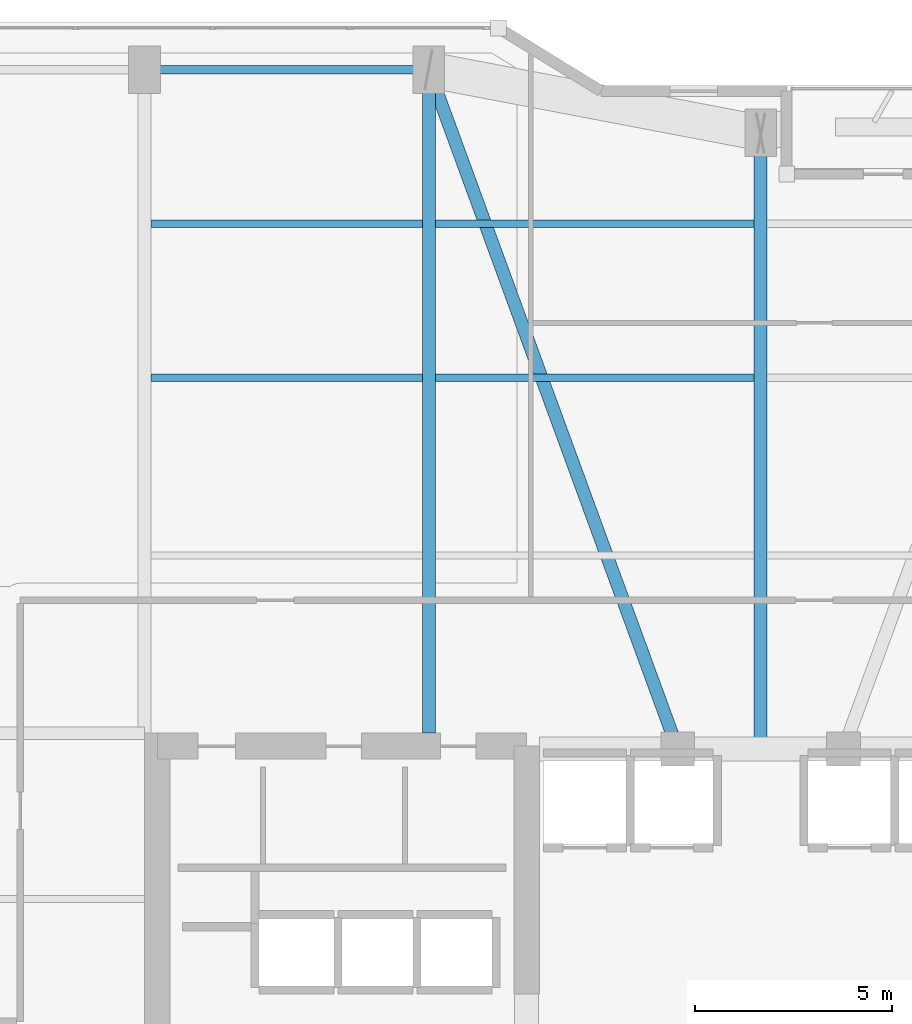
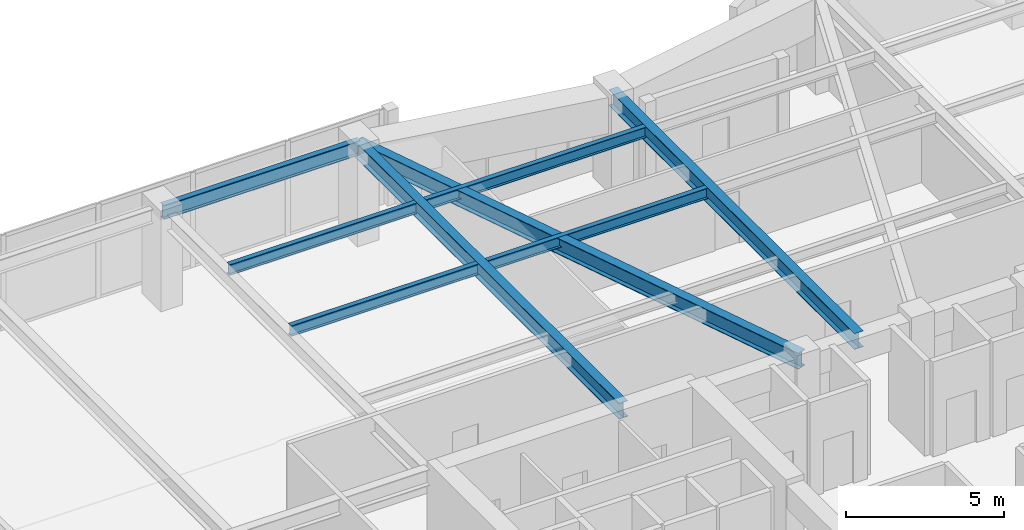
# One storey, part 18 of 30: 8 beams.
"""IFC4 building model written with IfcOpenShell, lengths in metres."""

import ifcopenshell
import ifcopenshell.guid

model = None  # the IFC model being written
_history = None  # IfcOwnerHistory: only IFC2X3 demands one
_inside = {}  # id of a spatial element -> (the spatial element, [elements in it])
_under = {}  # id of a project, library or spatial element -> (it, [spatial elements below it])
_declared = {}  # id of a project -> (the project, [libraries it declares])
_typed = {}  # id of a type object -> (the type object, [elements of that type])
_made_of = {}  # id of a material, layer set ... -> (it, [elements and type objects made of it])


def new_model(schema):
    """Start an empty IFC model of exactly this schema.

    Asked for "IFC4X3", IfcOpenShell would pick the latest addendum, in which some entities
    have other attributes; the version numbers below select the first issue.
    IFC2X3 requires an IfcOwnerHistory on every rooted entity: one is made here for all.
    """
    global model, _history
    if schema == "IFC4X3":
        model = ifcopenshell.file(schema_version=(4, 3, 0, 0))
    else:
        model = ifcopenshell.file(schema=schema)
    _inside.clear()
    _under.clear()
    _declared.clear()
    _typed.clear()
    _made_of.clear()
    _history = None
    if model.schema == "IFC2X3":
        org = make("IfcOrganization", Name="unknown")
        user = make(
            "IfcPersonAndOrganization",
            ThePerson=make("IfcPerson", FamilyName="unknown"),
            TheOrganization=org,
        )
        app = make(
            "IfcApplication",
            ApplicationDeveloper=org,
            Version="unknown",
            ApplicationFullName="unknown",
            ApplicationIdentifier="unknown",
        )
        _history = make(
            "IfcOwnerHistory",
            OwningUser=user,
            OwningApplication=app,
            ChangeAction="ADDED",
            CreationDate=0,
        )
    return model


def make(cls, **values):
    """One entity of the class cls with the attributes given. An attribute that is None is left unset."""
    return model.create_entity(
        cls, **{name: value for name, value in values.items() if value is not None}
    )


def rooted(cls, **values):
    """An entity with a GlobalId (a new one), such as an element, a storey or a relation."""
    return make(cls, GlobalId=ifcopenshell.guid.new(), OwnerHistory=_history, **values)


def si_unit(unit_type, name, prefix=None):
    """IfcSIUnit, for example si_unit("LENGTHUNIT", "METRE", prefix="MILLI")."""
    return make("IfcSIUnit", UnitType=unit_type, Prefix=prefix, Name=name)


def assignment(units):
    """IfcUnitAssignment: the units of a project."""
    return None if units is None else make("IfcUnitAssignment", Units=units)


def point(xyz):
    """IfcCartesianPoint."""
    return None if xyz is None else make("IfcCartesianPoint", Coordinates=xyz)


def direction(xyz):
    """IfcDirection."""
    return None if xyz is None else make("IfcDirection", DirectionRatios=xyz)


def frame(location, z_axis=None, x_axis=None):
    """IfcAxis2Placement3D, a coordinate frame: its origin and axes. An axis left out is left unset."""
    return make(
        "IfcAxis2Placement3D",
        Location=point(location),
        Axis=direction(z_axis),
        RefDirection=direction(x_axis),
    )


def frame_2d(location, x_axis=None):
    """IfcAxis2Placement2D, a coordinate frame in the plane: its origin and x axis."""
    return make(
        "IfcAxis2Placement2D", Location=point(location), RefDirection=direction(x_axis)
    )


def origin():
    """The frame at (0, 0, 0) with its axes left unset."""
    return frame((0.0, 0.0, 0.0))


def origin_2d():
    """The frame at (0, 0) in the plane with its x axis left unset."""
    return frame_2d((0.0, 0.0))


def place(relative_to, where):
    """IfcLocalPlacement: puts the frame where relative to a parent placement (None: the world)."""
    return make(
        "IfcLocalPlacement", PlacementRelTo=relative_to, RelativePlacement=where
    )


def context(
    kind, dimensions, precision=None, world=None, true_north=None, identifier=None
):
    """IfcGeometricRepresentationContext, for example the 3D "Model" context."""
    return make(
        "IfcGeometricRepresentationContext",
        ContextIdentifier=identifier,
        ContextType=kind,
        CoordinateSpaceDimension=dimensions,
        Precision=precision,
        WorldCoordinateSystem=world,
        TrueNorth=true_north,
    )


def subcontext(parent, identifier, kind, view, scale=None):
    """IfcGeometricRepresentationSubContext, for example "Body" below "Model"."""
    return make(
        "IfcGeometricRepresentationSubContext",
        ContextIdentifier=identifier,
        ContextType=kind,
        ParentContext=parent,
        TargetScale=scale,
        TargetView=view,
    )


def project(units=None, contexts=None):
    """IfcProject with its units and contexts."""
    return rooted(
        "IfcProject",
        Name="project",
        RepresentationContexts=contexts,
        UnitsInContext=assignment(units),
    )


def spatial(cls, under=None, at=None, **own):
    """A site, building, storey or space (cls), placed at a placement, below another one or the project."""
    s = rooted(cls, ObjectPlacement=at, **own)
    if under is not None:
        _under.setdefault(under.id(), (under, []))[1].append(s)
    return s


def profile(cls, at=None, kind="AREA", **sizes):
    """A parametric profile (cls). Its sizes go by their IFC names, for example OverallWidth=200.0."""
    return make(cls, ProfileType=kind, Position=at, **sizes)


def i_section(**sizes):
    """IfcIShapeProfileDef."""
    return profile("IfcIShapeProfileDef", **sizes)


def extrude(swept, where, along, depth):
    """IfcExtrudedAreaSolid: the profile swept, set in the frame where, extruded along a direction by depth."""
    return make(
        "IfcExtrudedAreaSolid",
        SweptArea=swept,
        Position=where,
        ExtrudedDirection=direction(along),
        Depth=depth,
    )


def shape(context_of_items, identifier, shape_type, items):
    """IfcShapeRepresentation: the items that make up one representation, for example the "Body"."""
    return make(
        "IfcShapeRepresentation",
        ContextOfItems=context_of_items,
        RepresentationIdentifier=identifier,
        RepresentationType=shape_type,
        Items=items,
    )


def material(Name=None, Category=None):
    """IfcMaterial."""
    return make("IfcMaterial", Name=Name, Category=Category)


def material_profile(
    of_material, cross_section, Name=None, Category=None, Priority=None
):
    """IfcMaterialProfile: a cross section and its material."""
    return make(
        "IfcMaterialProfile",
        Name=Name,
        Material=of_material,
        Profile=cross_section,
        Priority=Priority,
        Category=Category,
    )


def profile_set(profiles, Name=None, composite=None):
    """IfcMaterialProfileSet."""
    return make(
        "IfcMaterialProfileSet",
        Name=Name,
        MaterialProfiles=profiles,
        CompositeProfile=composite,
    )


def made_of(thing, what):
    """Note that an element or type object is made of a material, layer set ...; save() writes the relation."""
    if what is not None:
        _made_of.setdefault(what.id(), (what, []))[1].append(thing)
    return thing


def type_object(cls, material=None, **own):
    """A type object (cls), such as IfcWallType, which elements share."""
    return made_of(rooted(cls, **own), material)


def element(
    cls,
    number,
    at=None,
    inside=None,
    cuts=None,
    type_object=None,
    material=None,
    context=None,
    identifier="Body",
    shape_type=None,
    held_by="IfcProductDefinitionShape",
    body=None,
    shapes=None,
    **own,
):
    """One element of the class cls, such as IfcWall. Its Tag is "e" and its number.

    at: its placement. inside: the storey or other place that contains it. cuts: it is an
    opening in that element (IfcRelVoidsElement). A single representation is given by context,
    identifier, shape_type and body (its items); several are given by shapes. held_by: the class
    of the entity that holds the representations. save() writes the other relations.
    """
    e = rooted(cls, Tag="e%d" % number, ObjectPlacement=at, **own)
    if body is not None:
        shapes = [shape(context, identifier, shape_type, body)]
    if shapes is not None:
        e.Representation = make(held_by, Representations=shapes)
    if inside is not None:
        _inside.setdefault(inside.id(), (inside, []))[1].append(e)
    if cuts is not None:
        rooted(
            "IfcRelVoidsElement", RelatingBuildingElement=cuts, RelatedOpeningElement=e
        )
    if type_object is not None:
        _typed.setdefault(type_object.id(), (type_object, []))[1].append(e)
    return made_of(e, material)


def aggregate(whole, parts):
    """IfcRelAggregates: a whole, such as a stair, and the parts it consists of."""
    return rooted("IfcRelAggregates", RelatingObject=whole, RelatedObjects=parts)


def save(model, path):
    """Write the relations noted so far, then the file.

    IfcRelAggregates (storeys below a building ...), IfcRelContainedInSpatialStructure (elements
    in a storey), IfcRelDefinesByType, IfcRelAssociatesMaterial and IfcRelDeclares: one each for
    every whole, place, type object, material and project.
    """
    for whole, parts in _under.values():
        aggregate(whole, parts)
    for where, things in _inside.values():
        rooted(
            "IfcRelContainedInSpatialStructure",
            RelatedElements=things,
            RelatingStructure=where,
        )
    for kind, things in _typed.values():
        rooted("IfcRelDefinesByType", RelatedObjects=things, RelatingType=kind)
    for what, things in _made_of.values():
        rooted("IfcRelAssociatesMaterial", RelatedObjects=things, RelatingMaterial=what)
    for by, libraries in _declared.values():
        rooted("IfcRelDeclares", RelatingContext=by, RelatedDefinitions=libraries)
    model.write(path)


model = new_model("IFC4")

# Units and contexts
model_context = context("Model", 3, precision=1e-05, world=origin(), true_north=direction((0.0, 1.0)))
body_context = subcontext(model_context, "Body", "Model", "MODEL_VIEW")
ifc_project = project(units=[si_unit("LENGTHUNIT", "METRE"), si_unit("AREAUNIT", "SQUARE_METRE"), si_unit("VOLUMEUNIT", "CUBIC_METRE"), si_unit("PLANEANGLEUNIT", "RADIAN"), si_unit("MASSUNIT", "GRAM", prefix="KILO")], contexts=[model_context])

# Site, building, storey
site_placement = place(None, origin())
site = spatial("IfcSite", under=ifc_project, at=site_placement, CompositionType="ELEMENT")
building_placement = place(site_placement, origin())
building = spatial("IfcBuilding", under=site, at=building_placement, Name="Kiyonajd Concourse Tower", CompositionType="ELEMENT")
storey_placement = place(building_placement, frame((0.0, 0.0, 198.0)))
storey = spatial("IfcBuildingStorey", under=building, at=storey_placement, Name="L50", CompositionType="ELEMENT", Elevation=198.0)

# Beams
ifc_material = material(Name="Steel ASTM A992 Grade 50", Category="steel")
ifc_material_profile_1 = material_profile(ifc_material, i_section(OverallWidth=0.180908203125, OverallDepth=0.4169921875, WebThickness=0.010986328125, FlangeThickness=0.018310546875, at=origin_2d()), Name="W410X85")
ifc_profile_set_1 = profile_set([ifc_material_profile_1], Name="Steel ASTM A992 Grade 50")
beam_type_1 = type_object("IfcBeamType", Name="BM-JST-410", PredefinedType="JOIST", material=ifc_profile_set_1)
beam_1_placement = place(storey_placement, frame((32.5634765625, 53.39990234375, 3.471435546875), z_axis=(1.0, 0.0, 0.0), x_axis=(0.0, 1.0, 0.0)))
element("IfcBeam", 1, at=beam_1_placement, inside=storey, type_object=beam_type_1, Name="L50 Secondary Floor Joist", PredefinedType="JOIST", context=body_context, shape_type="SweptSolid", body=[
    extrude(i_section(OverallWidth=0.180908203125, OverallDepth=0.4169921875, WebThickness=0.010986328125, FlangeThickness=0.018310546875, at=origin_2d()), origin(), (0.0, 0.0, 1.0), 6.873046875),
])
beam_2_placement = place(storey_placement, frame((39.763427734375, 53.39990234375, 3.471435546875), z_axis=(1.0, 0.0, 0.0), x_axis=(0.0, 1.0, 0.0)))
element("IfcBeam", 2, at=beam_2_placement, inside=storey, type_object=beam_type_1, Name="L50 Secondary Floor Joist", PredefinedType="JOIST", context=body_context, shape_type="SweptSolid", body=[
    extrude(i_section(OverallWidth=0.180908203125, OverallDepth=0.4169921875, WebThickness=0.010986328125, FlangeThickness=0.018310546875, at=origin_2d()), origin(), (0.0, 0.0, 1.0), 8.072998046875),
])
beam_3_placement = place(storey_placement, frame((32.5634765625, 57.300048828125, 3.471435546875), z_axis=(1.0, 0.0, 0.0), x_axis=(0.0, 1.0, 0.0)))
element("IfcBeam", 3, at=beam_3_placement, inside=storey, type_object=beam_type_1, Name="L50 Secondary Floor Joist", PredefinedType="JOIST", context=body_context, shape_type="SweptSolid", body=[
    extrude(i_section(OverallWidth=0.180908203125, OverallDepth=0.4169921875, WebThickness=0.010986328125, FlangeThickness=0.018310546875, at=origin_2d()), origin(), (0.0, 0.0, 1.0), 6.873046875),
])
beam_4_placement = place(storey_placement, frame((39.763427734375, 57.300048828125, 3.471435546875), z_axis=(1.0, 0.0, 0.0), x_axis=(0.0, 1.0, 0.0)))
element("IfcBeam", 4, at=beam_4_placement, inside=storey, type_object=beam_type_1, Name="L50 Secondary Floor Joist", PredefinedType="JOIST", context=body_context, shape_type="SweptSolid", body=[
    extrude(i_section(OverallWidth=0.180908203125, OverallDepth=0.4169921875, WebThickness=0.010986328125, FlangeThickness=0.018310546875, at=origin_2d()), origin(), (0.0, 0.0, 1.0), 8.072998046875),
])
ifc_material_profile_2 = material_profile(ifc_material, i_section(OverallWidth=0.214111328125, OverallDepth=0.549072265625, WebThickness=0.0146484375, FlangeThickness=0.023681640625, at=origin_2d()), Name="W530X138")
ifc_profile_set_2 = profile_set([ifc_material_profile_2], Name="Steel ASTM A992 Grade 50")
beam_type_2 = type_object("IfcBeamType", Name="BM-SPAN-530A", PredefinedType="SPANDREL", material=ifc_profile_set_2)
beam_5_placement = place(storey_placement, frame((39.60009765625, 61.199951171875, 3.405517578125), z_axis=(-1.0, 0.0, 0.0), x_axis=(0.0, -1.0, 0.0)))
element("IfcBeam", 5, at=beam_5_placement, inside=storey, type_object=beam_type_2, Name="L50 Perimeter Bundled Tube Spandrel", PredefinedType="SPANDREL", context=body_context, shape_type="SweptSolid", body=[
    extrude(i_section(OverallWidth=0.214111328125, OverallDepth=0.549072265625, WebThickness=0.0146484375, FlangeThickness=0.023681640625, at=origin_2d()), origin(), (0.0, 0.0, 1.0), 7.2001953125),
])
ifc_material_profile_3 = material_profile(ifc_material, i_section(OverallWidth=0.326904296875, OverallDepth=0.6220703125, WebThickness=0.015380859375, FlangeThickness=0.0244140625, at=origin_2d()), Name="W610X195")
ifc_profile_set_3 = profile_set([ifc_material_profile_3], Name="Steel ASTM A992 Grade 50")
beam_type_3 = type_object("IfcBeamType", Name="BM-TWR-610A", PredefinedType="BEAM", material=ifc_profile_set_3)
beam_6_placement = place(storey_placement, frame((39.60009765625, 61.199951171875, 3.368896484375), z_axis=(0.343925269715, -0.938997022813, 0.0), x_axis=(0.938997022813, 0.343925269715, 0.0)))
element("IfcBeam", 6, at=beam_6_placement, inside=storey, type_object=beam_type_3, Name="L50 Core Tie Girder", PredefinedType="BEAM", context=body_context, shape_type="SweptSolid", body=[
    extrude(i_section(OverallWidth=0.326904296875, OverallDepth=0.6220703125, WebThickness=0.015380859375, FlangeThickness=0.0244140625, at=origin_2d()), origin(), (0.0, 0.0, 1.0), 18.3173828125),
])
beam_7_placement = place(storey_placement, frame((39.60009765625, 44.39990234375, 3.368896484375), z_axis=(0.0, 1.0, 0.0), x_axis=(-1.0, 0.0, 0.0)))
element("IfcBeam", 7, at=beam_7_placement, inside=storey, type_object=beam_type_3, Name="L50 North Lease Girder", PredefinedType="BEAM", context=body_context, shape_type="SweptSolid", body=[
    extrude(i_section(OverallWidth=0.326904296875, OverallDepth=0.6220703125, WebThickness=0.015380859375, FlangeThickness=0.0244140625, at=origin_2d()), origin(), (0.0, 0.0, 1.0), 16.800048828125),
])
beam_8_placement = place(storey_placement, frame((48.0, 44.0, 3.368896484375), z_axis=(0.0, 1.0, 0.0), x_axis=(-1.0, 0.0, 0.0)))
element("IfcBeam", 8, at=beam_8_placement, inside=storey, type_object=beam_type_3, Name="L50 North Ribbon Girder", PredefinedType="BEAM", context=body_context, shape_type="SweptSolid", body=[
    extrude(i_section(OverallWidth=0.326904296875, OverallDepth=0.6220703125, WebThickness=0.015380859375, FlangeThickness=0.0244140625, at=origin_2d()), origin(), (0.0, 0.0, 1.0), 15.60009765625),
])

save(model, "model.ifc")
